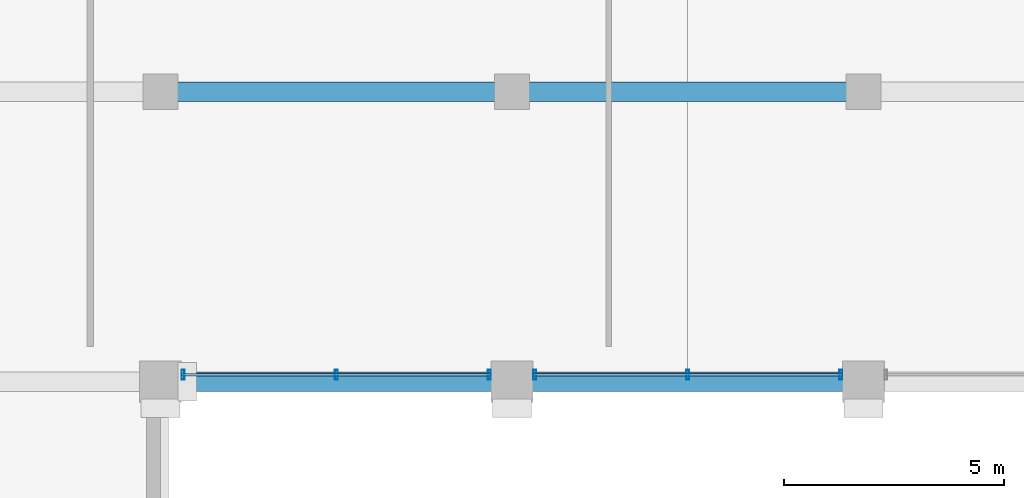
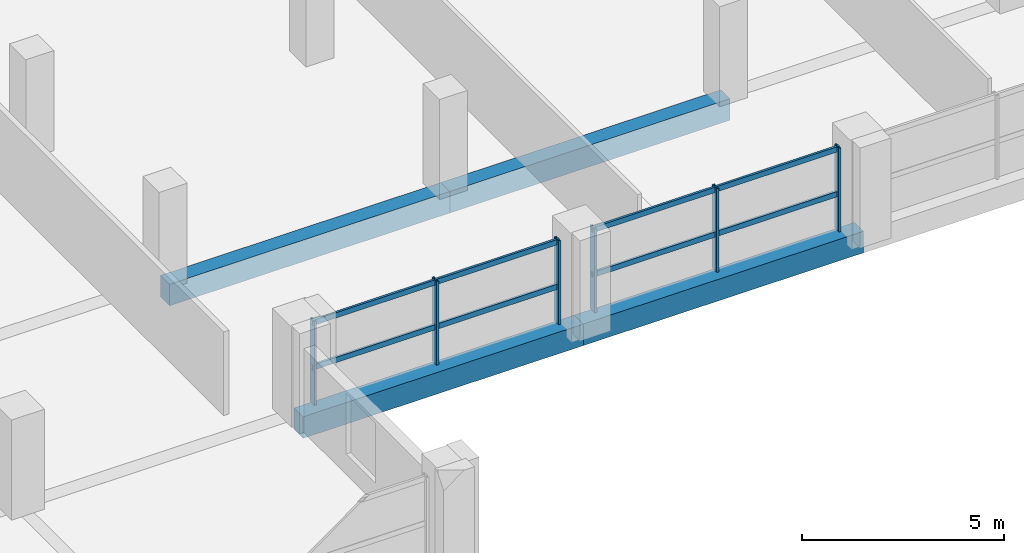
# One storey, part 4 of 23: 10 members, 4 beams, 2 elements without a shape of their own.
"""IFC4 building model written with IfcOpenShell, lengths in metres."""

from ifc_helpers import new_model, si_unit, direction, frame, origin, origin_2d, place, context, subcontext, project, spatial, rectangle, hollow_rectangle, extrude, material, material_profile, profile_set, type_object, element, aggregate, save


model = new_model("IFC4")

# Units and contexts
model_context = context("Model", 3, precision=1e-05, world=origin(), true_north=direction((0.0, 1.0)))
body_context = subcontext(model_context, "Body", "Model", "MODEL_VIEW")
ifc_project = project(units=[si_unit("LENGTHUNIT", "METRE"), si_unit("AREAUNIT", "SQUARE_METRE"), si_unit("VOLUMEUNIT", "CUBIC_METRE"), si_unit("PLANEANGLEUNIT", "RADIAN"), si_unit("MASSUNIT", "GRAM", prefix="KILO")], contexts=[model_context])

# Site, building, storey
site_placement = place(None, origin())
site = spatial("IfcSite", under=ifc_project, at=site_placement, CompositionType="ELEMENT")
building_placement = place(site_placement, origin())
building = spatial("IfcBuilding", under=site, at=building_placement, Name="Akrevak Sports Hall", CompositionType="ELEMENT")
storey_placement = place(building_placement, frame((0.0, 0.0, 47.050048828125)))
storey = spatial("IfcBuildingStorey", under=building, at=storey_placement, Name="L11", CompositionType="ELEMENT", Elevation=47.050048828125)

# Curtain wall, members
ifc_material_1 = material(Name="Anodized Bronze Aluminium & Low-E Glass", Category="aluminium")
curtain_wall_type = type_object("IfcCurtainWallType", Name="ARC-CW-TWR-56x30", PredefinedType="NOTDEFINED", material=ifc_material_1)
curtain_wall_1_placement = place(storey_placement, origin())
curtain_wall_1 = element("IfcCurtainWall", 1, at=curtain_wall_1_placement, inside=storey, type_object=curtain_wall_type, Name="Curtain Wall CW-L11-S04", PredefinedType="NOTDEFINED")
ifc_material_2 = material(Name="Anodized Bronze Aluminium", Category="aluminium")
ifc_material_profile_1 = material_profile(ifc_material_2, hollow_rectangle(XDim=0.06494140625, YDim=0.219970703125, WallThickness=0.00439453125, at=origin_2d()), Name="CWM 65x220", Category="aluminium")
ifc_profile_set_1 = profile_set([ifc_material_profile_1], Name="Anodized Bronze Aluminium")
member_type_1 = type_object("IfcMemberType", Name="ARC-CWM-70x160", PredefinedType="MULLION", material=ifc_profile_set_1)
member_1_placement = place(storey_placement, frame((68.514892578125, 28.9599609375, 0.0), z_axis=(0.0, 0.0, 1.0), x_axis=(1.0, 0.0, 0.0)))
member_1 = element("IfcMember", 2, at=member_1_placement, type_object=member_type_1, Name="Curtain Wall Mullion CW-L11-S04-M1", PredefinedType="MULLION", context=body_context, shape_type="SweptSolid", body=[
    extrude(hollow_rectangle(XDim=0.06494140625, YDim=0.219970703125, WallThickness=0.00439453125, at=origin_2d()), origin(), (0.0, 0.0, 1.0), 2.530029296875),
])
member_2_placement = place(storey_placement, frame((72.0, 28.9599609375, 0.0), z_axis=(0.0, 0.0, 1.0), x_axis=(1.0, 0.0, 0.0)))
member_2 = element("IfcMember", 3, at=member_2_placement, type_object=member_type_1, Name="Curtain Wall Mullion CW-L11-S04-M2", PredefinedType="MULLION", context=body_context, shape_type="SweptSolid", body=[
    extrude(hollow_rectangle(XDim=0.06494140625, YDim=0.219970703125, WallThickness=0.00439453125, at=origin_2d()), origin(), (0.0, 0.0, 1.0), 2.530029296875),
])
member_3_placement = place(storey_placement, frame((75.485107421875, 28.9599609375, 0.0), z_axis=(0.0, 0.0, 1.0), x_axis=(1.0, 0.0, 0.0)))
member_3 = element("IfcMember", 4, at=member_3_placement, type_object=member_type_1, Name="Curtain Wall Mullion CW-L11-S04-M3", PredefinedType="MULLION", context=body_context, shape_type="SweptSolid", body=[
    extrude(hollow_rectangle(XDim=0.06494140625, YDim=0.219970703125, WallThickness=0.00439453125, at=origin_2d()), origin(), (0.0, 0.0, 1.0), 2.530029296875),
])

curtain_wall_2_placement = place(storey_placement, origin())
curtain_wall_2 = element("IfcCurtainWall", 5, at=curtain_wall_2_placement, inside=storey, type_object=curtain_wall_type, Name="Curtain Wall CW-L11-S05", PredefinedType="NOTDEFINED")
member_4_placement = place(storey_placement, frame((76.514892578125, 28.9599609375, 0.0), z_axis=(0.0, 0.0, 1.0), x_axis=(1.0, 0.0, 0.0)))
member_4 = element("IfcMember", 6, at=member_4_placement, type_object=member_type_1, Name="Curtain Wall Mullion CW-L11-S05-M1", PredefinedType="MULLION", context=body_context, shape_type="SweptSolid", body=[
    extrude(hollow_rectangle(XDim=0.06494140625, YDim=0.219970703125, WallThickness=0.00439453125, at=origin_2d()), origin(), (0.0, 0.0, 1.0), 2.530029296875),
])
member_5_placement = place(storey_placement, frame((80.0, 28.9599609375, 0.0), z_axis=(0.0, 0.0, 1.0), x_axis=(1.0, 0.0, 0.0)))
member_5 = element("IfcMember", 7, at=member_5_placement, type_object=member_type_1, Name="Curtain Wall Mullion CW-L11-S05-M2", PredefinedType="MULLION", context=body_context, shape_type="SweptSolid", body=[
    extrude(hollow_rectangle(XDim=0.06494140625, YDim=0.219970703125, WallThickness=0.00439453125, at=origin_2d()), origin(), (0.0, 0.0, 1.0), 2.530029296875),
])
member_6_placement = place(storey_placement, frame((83.485107421875, 28.9599609375, 0.0), z_axis=(0.0, 0.0, 1.0), x_axis=(1.0, 0.0, 0.0)))
member_6 = element("IfcMember", 8, at=member_6_placement, type_object=member_type_1, Name="Curtain Wall Mullion CW-L11-S05-M3", PredefinedType="MULLION", context=body_context, shape_type="SweptSolid", body=[
    extrude(hollow_rectangle(XDim=0.06494140625, YDim=0.219970703125, WallThickness=0.00439453125, at=origin_2d()), origin(), (0.0, 0.0, 1.0), 2.530029296875),
])

# Member
ifc_material_profile_2 = material_profile(ifc_material_2, hollow_rectangle(XDim=0.06494140625, YDim=0.159912109375, WallThickness=0.00390625, at=origin_2d()), Name="CWT 65x160", Category="aluminium")
ifc_profile_set_2 = profile_set([ifc_material_profile_2], Name="Anodized Bronze Aluminium")
member_type_2 = type_object("IfcMemberType", Name="ARC-CWT-70x130", PredefinedType="USERDEFINED", material=ifc_profile_set_2)
member_7_placement = place(storey_placement, frame((68.47509765625, 28.9599609375, 1.099853515625), z_axis=(1.0, 0.0, 0.0), x_axis=(0.0, 1.0, 0.0)))
member_7 = element("IfcMember", 9, at=member_7_placement, type_object=member_type_2, Name="Curtain Wall Transom CW-L11-S04-T1", ObjectType="TRANSOM", PredefinedType="USERDEFINED", context=body_context, shape_type="SweptSolid", body=[
    extrude(hollow_rectangle(XDim=0.06494140625, YDim=0.159912109375, WallThickness=0.00390625, at=origin_2d()), origin(), (0.0, 0.0, 1.0), 7.0498046875),
])

member_8_placement = place(storey_placement, frame((68.47509765625, 28.9599609375, 2.449951171875), z_axis=(1.0, 0.0, 0.0), x_axis=(0.0, 1.0, 0.0)))
member_8 = element("IfcMember", 10, at=member_8_placement, type_object=member_type_2, Name="Curtain Wall Transom CW-L11-S04-T2", ObjectType="TRANSOM", PredefinedType="USERDEFINED", context=body_context, shape_type="SweptSolid", body=[
    extrude(hollow_rectangle(XDim=0.06494140625, YDim=0.159912109375, WallThickness=0.00390625, at=origin_2d()), origin(), (0.0, 0.0, 1.0), 7.0498046875),
])

aggregate(curtain_wall_1, [member_1, member_2, member_3, member_7, member_8])

member_9_placement = place(storey_placement, frame((76.47509765625, 28.9599609375, 1.099853515625), z_axis=(1.0, 0.0, 0.0), x_axis=(0.0, 1.0, 0.0)))
member_9 = element("IfcMember", 11, at=member_9_placement, type_object=member_type_2, Name="Curtain Wall Transom CW-L11-S05-T1", ObjectType="TRANSOM", PredefinedType="USERDEFINED", context=body_context, shape_type="SweptSolid", body=[
    extrude(hollow_rectangle(XDim=0.06494140625, YDim=0.159912109375, WallThickness=0.00390625, at=origin_2d()), origin(), (0.0, 0.0, 1.0), 7.0498046875),
])

member_10_placement = place(storey_placement, frame((76.47509765625, 28.9599609375, 2.449951171875), z_axis=(1.0, 0.0, 0.0), x_axis=(0.0, 1.0, 0.0)))
member_10 = element("IfcMember", 12, at=member_10_placement, type_object=member_type_2, Name="Curtain Wall Transom CW-L11-S05-T2", ObjectType="TRANSOM", PredefinedType="USERDEFINED", context=body_context, shape_type="SweptSolid", body=[
    extrude(hollow_rectangle(XDim=0.06494140625, YDim=0.159912109375, WallThickness=0.00390625, at=origin_2d()), origin(), (0.0, 0.0, 1.0), 7.0498046875),
])

aggregate(curtain_wall_2, [member_4, member_5, member_6, member_9, member_10])

# Beams
ifc_material_3 = material(Name="Concrete C40/50", Category="concrete")
ifc_material_profile_3 = material_profile(ifc_material_3, rectangle(XDim=0.449951171875, YDim=0.64990234375, at=origin_2d()), Name="BM 450x650", Category="concrete")
ifc_profile_set_3 = profile_set([ifc_material_profile_3], Name="Concrete C40/50")
beam_type = type_object("IfcBeamType", Name="STR-BM-RC450x650", PredefinedType="BEAM", material=ifc_profile_set_3)
for number, where, z_axis, x_axis, name in (
    (13, (68.0, 28.800048828125, -0.324951171875), (1.0, 0.0, 0.0), (0.0, 1.0, 0.0), "Girder E/10-11 (L11)"),
    (14, (76.0, 28.800048828125, -0.324951171875), (1.0, 0.0, 0.0), (0.0, 1.0, 0.0), "Girder E/11-12 (L11)"),
    (15, (68.0, 35.39990234375, -0.324951171875), (1.0, 0.0, 0.0), (0.0, 1.0, 0.0), "Girder F/10-11 (L11)"),
    (16, (76.0, 35.39990234375, -0.324951171875), (1.0, 0.0, 0.0), (0.0, 1.0, 0.0), "Girder F/11-12 (L11)"),
):
    element("IfcBeam", number, at=place(storey_placement, frame(where, z_axis=z_axis, x_axis=x_axis)), inside=storey, type_object=beam_type, Name=name, PredefinedType="BEAM", context=body_context, shape_type="SweptSolid", body=[
        extrude(rectangle(XDim=0.449951171875, YDim=0.64990234375, at=origin_2d()), origin(), (0.0, 0.0, 1.0), 8.0),
    ])

save(model, "model.ifc")
